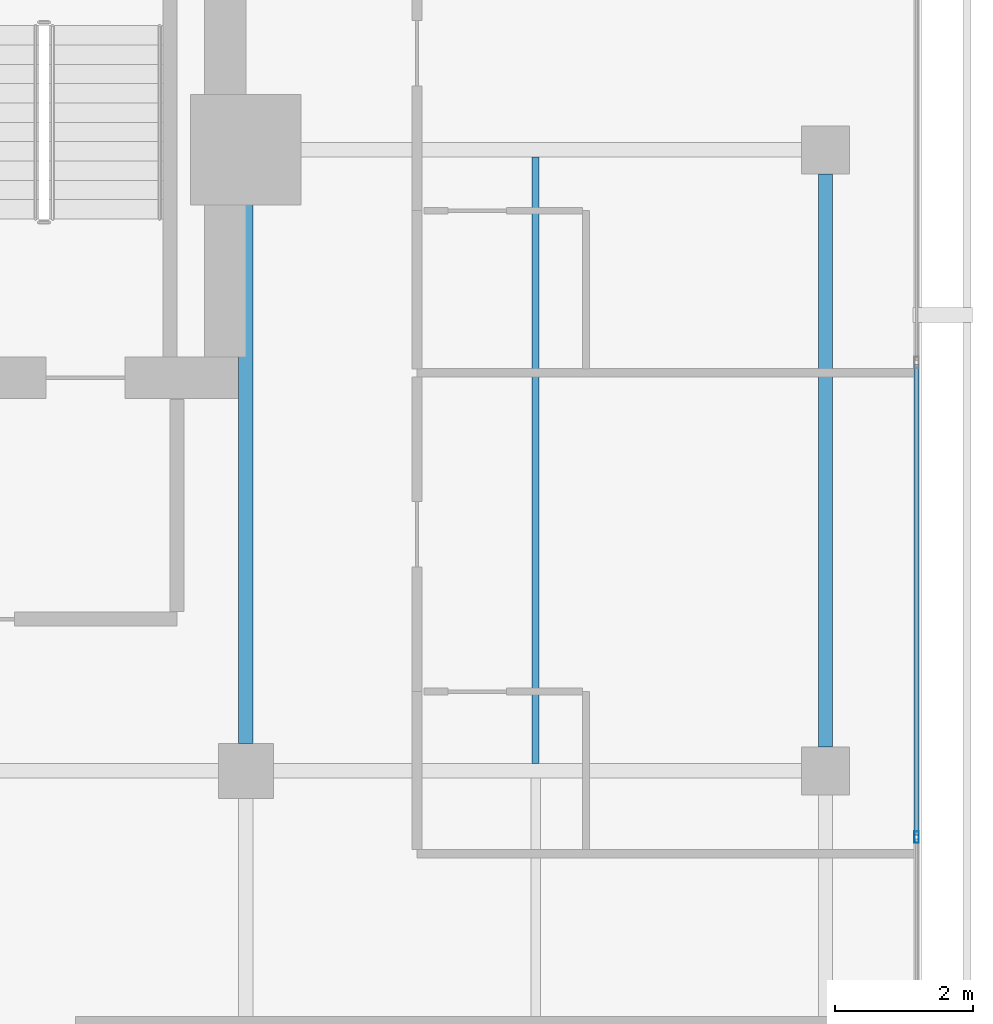
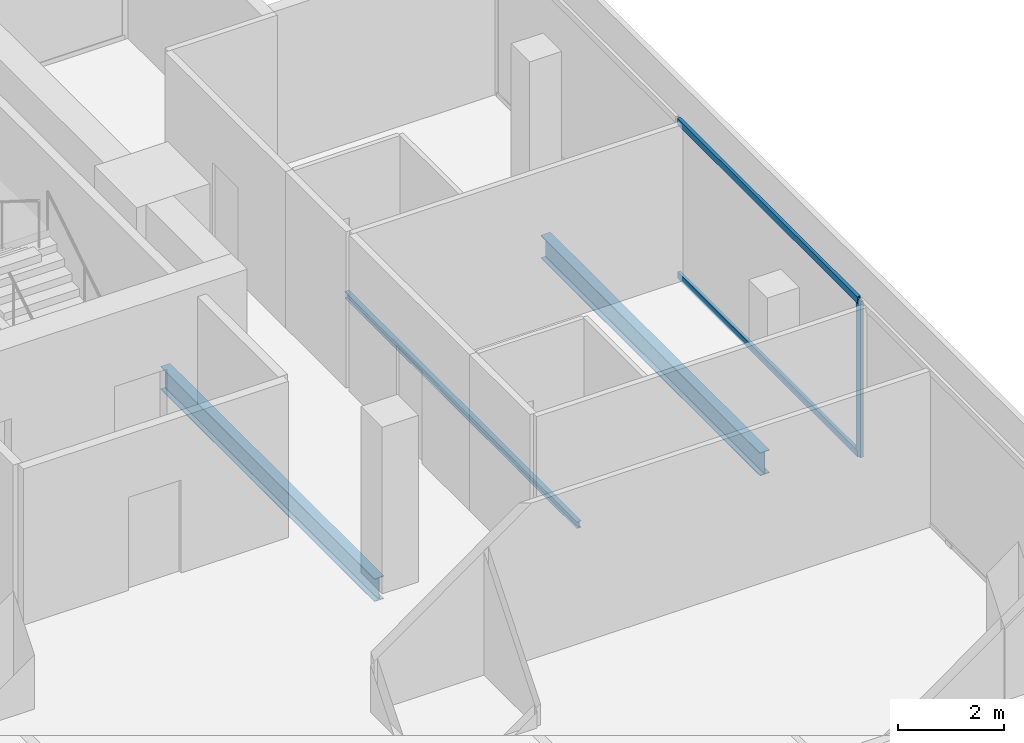
# One storey, part 15 of 25: 3 beams, 3 members, 1 element without a shape of its own.
"""IFC4 building model written with IfcOpenShell, lengths in metres."""

from ifc_helpers import new_model, si_unit, direction, frame, origin, origin_2d, place, context, subcontext, project, spatial, hollow_rectangle, i_section, extrude, material, layer, layer_set, material_profile, profile_set, type_object, element, aggregate, save


model = new_model("IFC4")

# Units and contexts
model_context = context("Model", 3, precision=1e-05, world=origin(), true_north=direction((0.0, 1.0)))
body_context = subcontext(model_context, "Body", "Model", "MODEL_VIEW")
ifc_project = project(units=[si_unit("LENGTHUNIT", "METRE"), si_unit("AREAUNIT", "SQUARE_METRE"), si_unit("VOLUMEUNIT", "CUBIC_METRE"), si_unit("PLANEANGLEUNIT", "RADIAN"), si_unit("MASSUNIT", "GRAM", prefix="KILO")], contexts=[model_context])

# Site, building, storey
site_placement = place(None, origin())
site = spatial("IfcSite", under=ifc_project, at=site_placement, CompositionType="ELEMENT")
building_placement = place(site_placement, origin())
building = spatial("IfcBuilding", under=site, at=building_placement, Name="Maruvema Waterfront Hotel and Observation Tower", CompositionType="ELEMENT")
storey_placement = place(building_placement, frame((0.0, 0.0, 247.10009765625)))
storey = spatial("IfcBuildingStorey", under=building, at=storey_placement, Name="L60", CompositionType="ELEMENT", Elevation=247.10009765625)

# Curtain wall, members
ifc_material_1 = material(Name="Anodised bronze aluminium and solar-control low-E IGU", Category="aluminium")
ifc_layer = layer(ifc_material_1, 0.159912109375, Name="Zone 3 Champagne Inner Thermal Curtain Wall System CW-04")
ifc_layer_set = layer_set([ifc_layer], Name="Anodised bronze aluminium and solar-control low-E IGU")
curtain_wall_type = type_object("IfcCurtainWallType", Name="Zone 3 Champagne Inner Thermal Curtain Wall System CW-04", PredefinedType="USERDEFINED", material=ifc_layer_set)
curtain_wall_placement = place(storey_placement, origin())
curtain_wall = element("IfcCurtainWall", 1, at=curtain_wall_placement, inside=storey, type_object=curtain_wall_type, Name="L60 Curtain Wall CW-L60-E", ObjectType="UNITISED CURTAIN WALL", PredefinedType="USERDEFINED")
ifc_material_2 = material(Name="Anodised architectural bronze aluminium", Category="aluminium")
ifc_material_profile_1 = material_profile(ifc_material_2, hollow_rectangle(XDim=0.070068359375, YDim=0.14990234375, WallThickness=0.00390625, at=origin_2d()), Name="ALU-T70x150")
ifc_profile_set_1 = profile_set([ifc_material_profile_1], Name="Anodised architectural bronze aluminium")
member_type_1 = type_object("IfcMemberType", Name="Curtain Wall Horizontal Transom ALU-T70x150", PredefinedType="USERDEFINED", material=ifc_profile_set_1)
member_1_placement = place(storey_placement, frame((60.1201171875, 35.070068359375, 0.02978515625), z_axis=(0.0, 1.0, 0.0), x_axis=(-1.0, 0.0, 0.0)))
member_1 = element("IfcMember", 2, at=member_1_placement, type_object=member_type_1, Name="CW-04 transom 4.1", ObjectType="TRANSOM", PredefinedType="USERDEFINED", context=body_context, shape_type="SweptSolid", body=[
    extrude(hollow_rectangle(XDim=0.070068359375, YDim=0.14990234375, WallThickness=0.00390625, at=origin_2d()), origin(), (0.0, 0.0, 1.0), 6.81982421875),
])
member_2_placement = place(storey_placement, frame((60.1201171875, 35.070068359375, 3.579833984375), z_axis=(0.0, 1.0, 0.0), x_axis=(-1.0, 0.0, 0.0)))
member_2 = element("IfcMember", 3, at=member_2_placement, type_object=member_type_1, Name="CW-04 transom 4.2", ObjectType="TRANSOM", PredefinedType="USERDEFINED", context=body_context, shape_type="SweptSolid", body=[
    extrude(hollow_rectangle(XDim=0.070068359375, YDim=0.14990234375, WallThickness=0.00390625, at=origin_2d()), origin(), (0.0, 0.0, 1.0), 6.81982421875),
])
ifc_material_3 = material(Name="Anodised architectural bronze aluminium", Category="aluminium")
ifc_material_profile_2 = material_profile(ifc_material_3, hollow_rectangle(XDim=0.06494140625, YDim=0.1650390625, WallThickness=0.00390625, at=origin_2d()), Name="ALU-M65x165")
ifc_profile_set_2 = profile_set([ifc_material_profile_2], Name="Anodised architectural bronze aluminium")
member_type_2 = type_object("IfcMemberType", Name="Curtain Wall Primary Mullion ALU-M65x165", PredefinedType="MULLION", material=ifc_profile_set_2)
member_3_placement = place(storey_placement, frame((60.1201171875, 35.0400390625, 0.0), z_axis=(0.0, 0.0, 1.0), x_axis=(-1.0, 0.0, 0.0)))
member_3 = element("IfcMember", 4, at=member_3_placement, type_object=member_type_2, Name="CW-04 mullion 4", PredefinedType="MULLION", context=body_context, shape_type="SweptSolid", body=[
    extrude(hollow_rectangle(XDim=0.06494140625, YDim=0.1650390625, WallThickness=0.00390625, at=origin_2d()), origin(), (0.0, 0.0, 1.0), 3.60986328125),
])
aggregate(curtain_wall, [member_3, member_1, member_2])

# Beams
ifc_material_4 = material(Name="Steel ASTM A572 Grade 50", Category="steel")
ifc_material_profile_3 = material_profile(ifc_material_4, i_section(OverallWidth=0.208984375, OverallDepth=0.532958984375, WebThickness=0.01025390625, FlangeThickness=0.015625, FilletRadius=0.014892578125, at=origin_2d()), Name="W530x92.0")
ifc_profile_set_3 = profile_set([ifc_material_profile_3], Name="Steel ASTM A572 Grade 50")
beam_type_1 = type_object("IfcBeamType", Name="Primary Floor Girder W530x92.0", PredefinedType="BEAM", material=ifc_profile_set_3)
beam_1_placement = place(storey_placement, frame((50.39990234375, 36.39990234375, -0.506591796875), z_axis=(0.0, 1.0, 0.0), x_axis=(-1.0, 0.0, 0.0)))
element("IfcBeam", 5, at=beam_1_placement, inside=storey, type_object=beam_type_1, Name="L60 Floor Girder NS-15", PredefinedType="BEAM", context=body_context, shape_type="SweptSolid", body=[
    extrude(i_section(OverallWidth=0.208984375, OverallDepth=0.532958984375, WebThickness=0.01025390625, FlangeThickness=0.015625, FilletRadius=0.014892578125, at=origin_2d()), origin(), (0.0, 0.0, 1.0), 8.10009765625),
])
beam_2_placement = place(storey_placement, frame((58.800048828125, 36.35009765625, -0.506591796875), z_axis=(0.0, 1.0, 0.0), x_axis=(-1.0, 0.0, 0.0)))
element("IfcBeam", 6, at=beam_2_placement, inside=storey, type_object=beam_type_1, Name="L60 Floor Girder NS-18", PredefinedType="BEAM", context=body_context, shape_type="SweptSolid", body=[
    extrude(i_section(OverallWidth=0.208984375, OverallDepth=0.532958984375, WebThickness=0.01025390625, FlangeThickness=0.015625, FilletRadius=0.014892578125, at=origin_2d()), origin(), (0.0, 0.0, 1.0), 8.2998046875),
])
ifc_material_5 = material(Name="Steel ASTM A572 Grade 50", Category="steel")
ifc_material_profile_4 = material_profile(ifc_material_5, i_section(OverallWidth=0.10009765625, OverallDepth=0.153076171875, WebThickness=0.005859375, FlangeThickness=0.007080078125, FilletRadius=0.008056640625, at=origin_2d()), Name="W150x18.0")
ifc_profile_set_4 = profile_set([ifc_material_profile_4], Name="Steel ASTM A572 Grade 50")
beam_type_2 = type_object("IfcBeamType", Name="Secondary Floor Joist W150x18.0", PredefinedType="JOIST", material=ifc_profile_set_4)
beam_3_placement = place(storey_placement, frame((54.60009765625, 36.1044921875, -0.316650390625), z_axis=(0.0, 1.0, 0.0), x_axis=(-1.0, 0.0, 0.0)))
element("IfcBeam", 7, at=beam_3_placement, inside=storey, type_object=beam_type_2, Name="L60 Secondary Floor Joist JS-09", PredefinedType="JOIST", context=body_context, shape_type="SweptSolid", body=[
    extrude(i_section(OverallWidth=0.10009765625, OverallDepth=0.153076171875, WebThickness=0.005859375, FlangeThickness=0.007080078125, FilletRadius=0.008056640625, at=origin_2d()), origin(), (0.0, 0.0, 1.0), 8.791015625),
])

save(model, "model.ifc")
